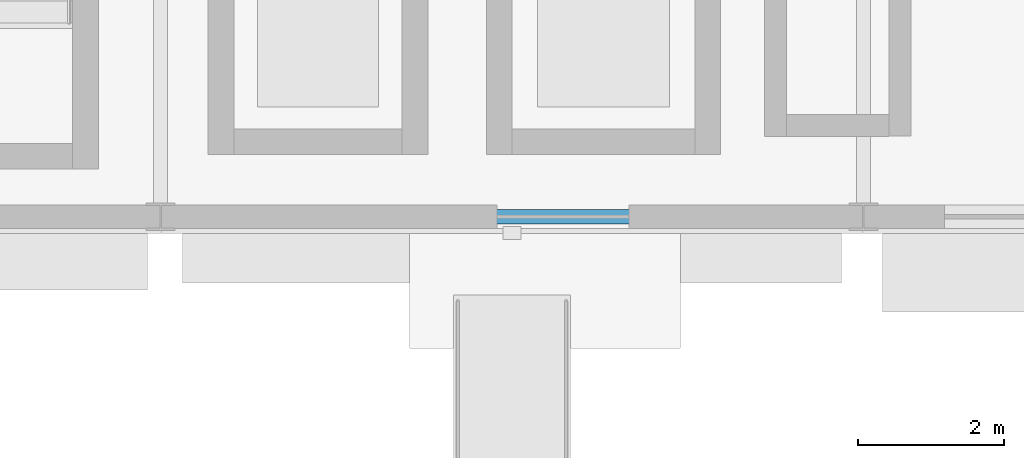
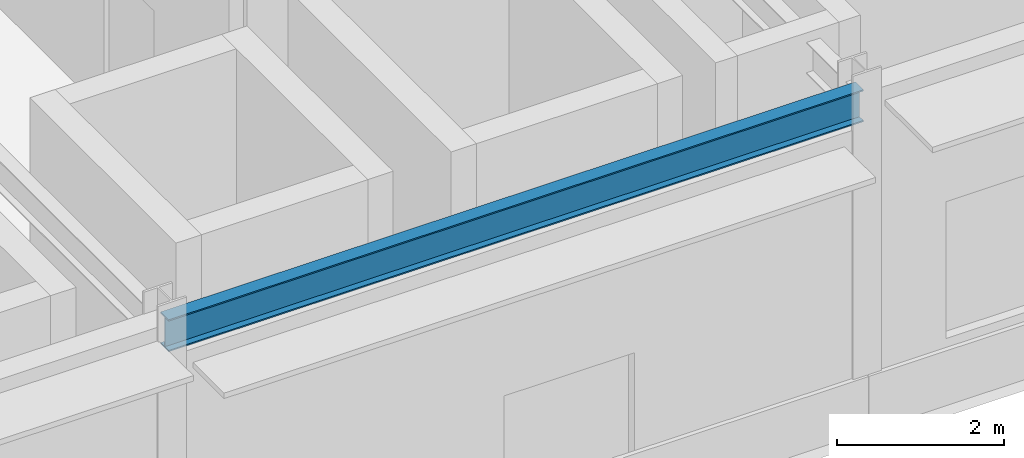
# One storey, part 59 of 168: 1 beam.
"""IFC4 building model written with IfcOpenShell, lengths in metres."""

from ifc_helpers import new_model, si_unit, direction, frame, origin, origin_2d, place, context, subcontext, project, spatial, i_section, extrude, material, material_profile, profile_set, type_object, element, save


model = new_model("IFC4")

# Units and contexts
model_context = context("Model", 3, precision=1e-05, world=origin(), true_north=direction((0.0, 1.0)))
body_context = subcontext(model_context, "Body", "Model", "MODEL_VIEW")
ifc_project = project(units=[si_unit("LENGTHUNIT", "METRE"), si_unit("AREAUNIT", "SQUARE_METRE"), si_unit("VOLUMEUNIT", "CUBIC_METRE"), si_unit("PLANEANGLEUNIT", "RADIAN"), si_unit("MASSUNIT", "GRAM", prefix="KILO")], contexts=[model_context])

# Site, building, storey
site_placement = place(None, origin())
site = spatial("IfcSite", under=ifc_project, at=site_placement, CompositionType="ELEMENT")
building_placement = place(site_placement, origin())
building = spatial("IfcBuilding", under=site, at=building_placement, Name="Almandine Court Research Institute", CompositionType="ELEMENT")
storey_placement = place(building_placement, origin())
storey = spatial("IfcBuildingStorey", under=building, at=storey_placement, Name="L00", CompositionType="ELEMENT", Elevation=0.0)

# Beam
ifc_material = material(Name="Steel ASTM A992 Grade 50", Category="steel")
ifc_material_profile = material_profile(ifc_material, i_section(OverallWidth=0.193115234375, OverallDepth=0.466064453125, WebThickness=0.010986328125, FlangeThickness=0.01904296875, at=origin_2d()), Name="W460x97")
ifc_profile_set = profile_set([ifc_material_profile], Name="Steel ASTM A992 Grade 50")
beam_type = type_object("IfcBeamType", Name="Beam-G-06-E", PredefinedType="SPANDREL", material=ifc_profile_set)
beam_placement = place(storey_placement, frame((15.60009765625, 84.0, 4.697021484375), z_axis=(1.0, 0.0, 0.0), x_axis=(0.0, 1.0, 0.0)))
element("IfcBeam", 1, at=beam_placement, inside=storey, type_object=beam_type, Name="L00 V3 Primary X Girder", PredefinedType="SPANDREL", context=body_context, shape_type="SweptSolid", body=[
    extrude(i_section(OverallWidth=0.193115234375, OverallDepth=0.466064453125, WebThickness=0.010986328125, FlangeThickness=0.01904296875, at=origin_2d()), origin(), (0.0, 0.0, 1.0), 9.599853515625),
])

save(model, "model.ifc")
